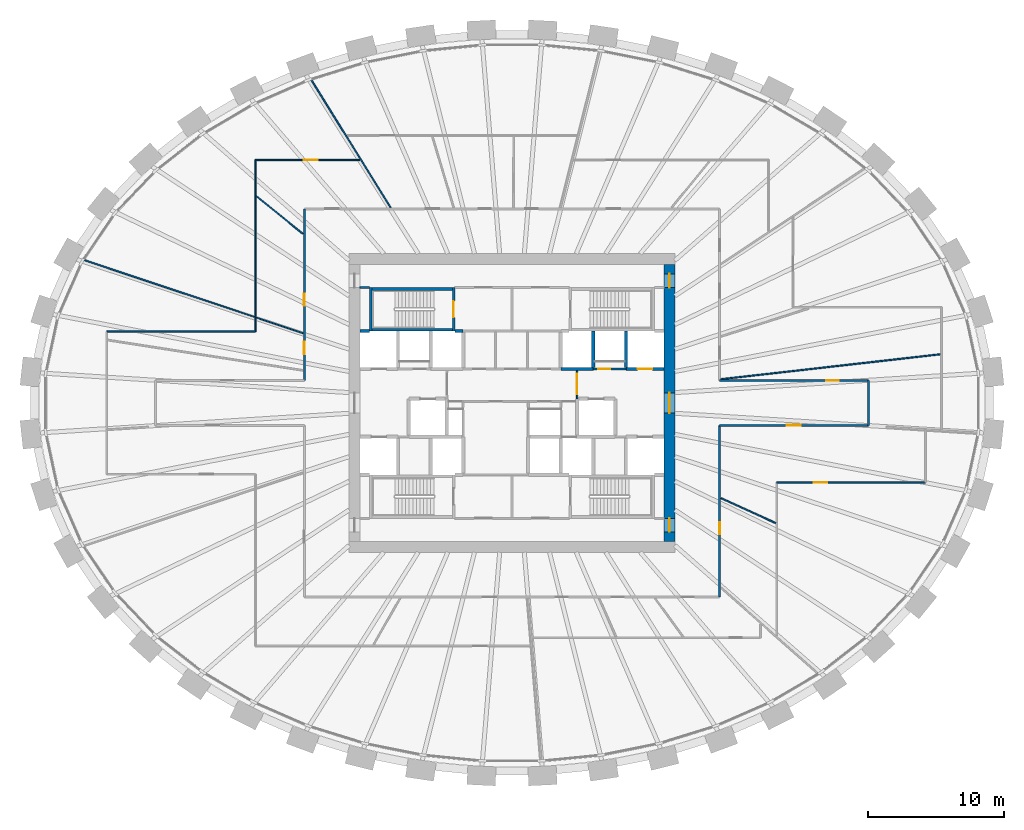
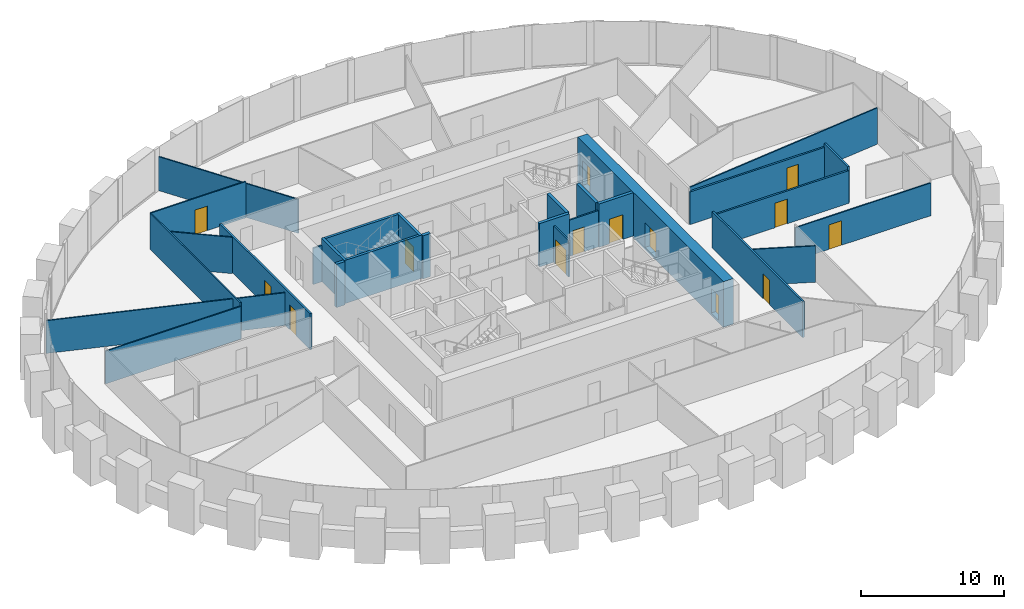
# One storey, part 8 of 11: 28 walls, 14 doors, 14 openings.
"""IFC4 building model written with IfcOpenShell, lengths in metres."""

from ifc_helpers import new_model, si_unit, direction, frame, frame_2d, origin, place, context, subcontext, project, spatial, rectangle, extrude, source, transform, mapped, material, layer, layer_set, type_object, element, fill, save


model = new_model("IFC4")

# Units and contexts
model_context = context("Model", 3, precision=1e-05, world=origin(), true_north=direction((0.0, 1.0)))
body_context = subcontext(model_context, "Body", "Model", "MODEL_VIEW")
ifc_project = project(units=[si_unit("LENGTHUNIT", "METRE"), si_unit("AREAUNIT", "SQUARE_METRE"), si_unit("VOLUMEUNIT", "CUBIC_METRE"), si_unit("PLANEANGLEUNIT", "RADIAN"), si_unit("MASSUNIT", "GRAM", prefix="KILO")], contexts=[model_context])

# Site, building, storey
site_placement = place(None, origin())
site = spatial("IfcSite", under=ifc_project, at=site_placement, CompositionType="ELEMENT")
building_placement = place(site_placement, origin())
building = spatial("IfcBuilding", under=site, at=building_placement, Name="Embergate Tower", CompositionType="ELEMENT")
storey_placement = place(building_placement, frame((0.0, 0.0, 211.199951171875)))
storey = spatial("IfcBuildingStorey", under=building, at=storey_placement, Name="L48", CompositionType="ELEMENT", Elevation=211.199951171875)

# Wall, openings, doors
ifc_material_1 = material(Name="Concrete C70", Category="concrete")
ifc_layer_1 = layer(ifc_material_1, 0.800048828125)
ifc_layer_set_1 = layer_set([ifc_layer_1], Name="Concrete C70")
wall_type_1 = type_object("IfcWallType", Name="Core outer wall C70 800", PredefinedType="SHEAR", material=ifc_layer_set_1)
shared_shape_1 = source(origin(), body_context, "Body", "SweptSolid", [
    extrude(rectangle(XDim=20.39990234375, YDim=0.800048828125, at=frame_2d((10.199951171875, 0.0))), origin(), (0.0, 0.0, 1.0), 3.89990234375),
])
wall_1_placement = place(storey_placement, frame((11.60009765625, -10.199951171875, -0.199951171875), z_axis=(0.0, 0.0, 1.0), x_axis=(0.0, 1.0, 0.0)))
wall_1 = element("IfcWall", 1, at=wall_1_placement, inside=storey, type_object=wall_type_1, Name="CW-L48-E", PredefinedType="SHEAR", context=body_context, shape_type="MappedRepresentation", body=[
    mapped(shared_shape_1, transform((0.0, 0.0, 0.0))),
])
shared_shape_2 = source(origin(), body_context, "Body", "SweptSolid", [
    extrude(rectangle(XDim=1.0, YDim=2.10009765625, at=frame_2d((0.5, 1.050048828125))), frame((0.0, 0.409912109375, 0.0), z_axis=(0.0, -1.0, 0.0), x_axis=(1.0, 0.0, 0.0)), (0.0, 0.0, 1.0), 0.820068359375),
])
opening_1_placement = place(wall_1_placement, frame((18.699951171875, 0.0, 0.199951171875)))
opening_1 = element("IfcOpeningElement", 2, at=opening_1_placement, cuts=wall_1, Name="Opening IF-1d", PredefinedType="OPENING", context=body_context, shape_type="MappedRepresentation", body=[
    mapped(shared_shape_2, transform((0.0, 0.0, 0.0))),
])
opening_2_placement = place(wall_1_placement, frame((0.699951171875, 0.0, 0.199951171875)))
opening_2 = element("IfcOpeningElement", 3, at=opening_2_placement, cuts=wall_1, Name="Opening IF-1d", PredefinedType="OPENING", context=body_context, shape_type="MappedRepresentation", body=[
    mapped(shared_shape_2, transform((0.0, 0.0, 0.0))),
])
shared_shape_3 = source(origin(), body_context, "Body", "SweptSolid", [
    extrude(rectangle(XDim=1.5, YDim=2.10009765625, at=frame_2d((0.75, 1.050048828125))), frame((0.0, 0.409912109375, 0.0), z_axis=(0.0, -1.0, 0.0), x_axis=(1.0, 0.0, 0.0)), (0.0, 0.0, 1.0), 0.820068359375),
])
opening_3_placement = place(wall_1_placement, frame((9.449951171875, 0.0, 0.199951171875)))
opening_3 = element("IfcOpeningElement", 4, at=opening_3_placement, cuts=wall_1, Name="Opening IF-3", PredefinedType="OPENING", context=body_context, shape_type="MappedRepresentation", body=[
    mapped(shared_shape_3, transform((0.0, 0.0, 0.0))),
])
ifc_material_2 = material(Name="Lobby fire door pair 1500")
door_type_1 = type_object("IfcDoorType", Name="Lobby fire door pair 1500", OperationType="DOUBLE_DOOR_SINGLE_SWING", PredefinedType="DOOR", material=ifc_material_2)
shared_shape_4 = source(origin(), body_context, "Body", "SweptSolid", [
    extrude(rectangle(XDim=1.5, YDim=2.10009765625, at=frame_2d((0.75, 1.050048828125))), frame((0.0, 0.02490234375, 0.0), z_axis=(0.0, -1.0, 0.0), x_axis=(1.0, 0.0, 0.0)), (0.0, 0.0, 1.0), 0.050048828125),
])
door_1_placement = place(opening_3_placement, origin())
door_1 = element("IfcDoor", 5, at=door_1_placement, inside=storey, type_object=door_type_1, Name="IF-3 door", OperationType="DOUBLE_DOOR_SINGLE_SWING", OverallHeight=2.10009765625, OverallWidth=1.5, PredefinedType="DOOR", context=body_context, shape_type="MappedRepresentation", body=[
    mapped(shared_shape_4, transform((0.0, 0.0, 0.0))),
])
fill(opening_3, door_1)
ifc_material_3 = material(Name="Escape fire door 1000")
door_type_2 = type_object("IfcDoorType", Name="Escape fire door 1000", OperationType="SINGLE_SWING_LEFT", PredefinedType="DOOR", material=ifc_material_3)
shared_shape_5 = source(origin(), body_context, "Body", "SweptSolid", [
    extrude(rectangle(XDim=1.0, YDim=2.10009765625, at=frame_2d((0.5, 1.050048828125))), frame((0.0, 0.02490234375, 0.0), z_axis=(0.0, -1.0, 0.0), x_axis=(1.0, 0.0, 0.0)), (0.0, 0.0, 1.0), 0.050048828125),
])
door_2_placement = place(opening_1_placement, origin())
door_2 = element("IfcDoor", 6, at=door_2_placement, inside=storey, type_object=door_type_2, Name="IF-1 door", OperationType="SINGLE_SWING_LEFT", OverallHeight=2.10009765625, OverallWidth=1.0, PredefinedType="DOOR", context=body_context, shape_type="MappedRepresentation", body=[
    mapped(shared_shape_5, transform((0.0, 0.0, 0.0))),
])
fill(opening_1, door_2)
door_3_placement = place(opening_2_placement, origin())
door_3 = element("IfcDoor", 7, at=door_3_placement, inside=storey, type_object=door_type_2, Name="IF-1 door", OperationType="SINGLE_SWING_LEFT", OverallHeight=2.10009765625, OverallWidth=1.0, PredefinedType="DOOR", context=body_context, shape_type="MappedRepresentation", body=[
    mapped(shared_shape_5, transform((0.0, 0.0, 0.0))),
])
fill(opening_2, door_3)

# Walls
ifc_material_4 = material(Name="Concrete C50", Category="concrete")
ifc_layer_2 = layer(ifc_material_4, 0.25)
ifc_layer_set_2 = layer_set([ifc_layer_2], Name="Concrete C50")
wall_type_2 = type_object("IfcWallType", Name="Hoistway wall reinforced concrete 250", PredefinedType="SHEAR", material=ifc_layer_set_2)
shared_shape_6 = source(origin(), body_context, "Body", "SweptSolid", [
    extrude(rectangle(XDim=2.675048828125, YDim=0.25, at=frame_2d((1.33740234375, 0.0))), origin(), (0.0, 0.0, 1.0), 3.699951171875),
])
for number, where, z_axis, x_axis, name in (
    (8, (6.0, 2.625, 0.0), (0.0, 0.0, 1.0), (0.0, 1.0, 0.0), "HW-1 wall"),
    (9, (8.39990234375, 2.625, 0.0), (0.0, 0.0, 1.0), (0.0, 1.0, 0.0), "HW-1 wall"),
):
    element("IfcWall", number, at=place(storey_placement, frame(where, z_axis=z_axis, x_axis=x_axis)), inside=storey, type_object=wall_type_2, Name=name, PredefinedType="SHEAR", context=body_context, shape_type="MappedRepresentation", body=[
        mapped(shared_shape_6, transform((0.0, 0.0, 0.0))),
    ])
ifc_layer_3 = layer(ifc_material_4, 0.199951171875)
ifc_layer_set_3 = layer_set([ifc_layer_3], Name="Concrete C50")
wall_type_3 = type_object("IfcWallType", Name="Stair enclosure wall reinforced concrete 250", PredefinedType="SHEAR", material=ifc_layer_set_3)
shared_shape_7 = source(origin(), body_context, "Body", "SweptSolid", [
    extrude(rectangle(XDim=6.300048828125, YDim=0.199951171875, at=frame_2d((3.14990234375, 0.0))), origin(), (0.0, 0.0, 1.0), 3.699951171875),
])
for number, where, z_axis, x_axis, name in (
    (10, (-4.199951171875, 5.39990234375, 0.0), (0.0, 0.0, 1.0), (-1.0, 0.0, 0.0), "SE-1 wall"),
    (11, (-4.199951171875, 8.39990234375, 0.0), (0.0, 0.0, 1.0), (-1.0, 0.0, 0.0), "SE-1 wall"),
):
    element("IfcWall", number, at=place(storey_placement, frame(where, z_axis=z_axis, x_axis=x_axis)), inside=storey, type_object=wall_type_3, Name=name, PredefinedType="SHEAR", context=body_context, shape_type="MappedRepresentation", body=[
        mapped(shared_shape_7, transform((0.0, 0.0, 0.0))),
    ])

# Wall, opening, door
ifc_material_5 = material(Name="Core partition blockwork 120")
ifc_layer_4 = layer(ifc_material_5, 0.1201171875)
ifc_layer_set_4 = layer_set([ifc_layer_4], Name="Core partition blockwork 120")
wall_type_4 = type_object("IfcWallType", Name="Core partition blockwork 120", PredefinedType="PARTITIONING", material=ifc_layer_set_4)
shared_shape_8 = source(origin(), body_context, "Body", "SweptSolid", [
    extrude(rectangle(XDim=2.074951171875, YDim=0.1201171875, at=frame_2d((1.03759765625, 0.0))), origin(), (0.0, 0.0, 1.0), 3.10009765625),
])
wall_2_placement = place(storey_placement, frame((4.800048828125, 0.300048828125, 0.0), z_axis=(0.0, 0.0, 1.0), x_axis=(0.0, 1.0, 0.0)))
wall_2 = element("IfcWall", 12, at=wall_2_placement, inside=storey, type_object=wall_type_4, Name="IP-3 wall", PredefinedType="PARTITIONING", context=body_context, shape_type="MappedRepresentation", body=[
    mapped(shared_shape_8, transform((0.0, 0.0, 0.0))),
])
shared_shape_9 = source(origin(), body_context, "Body", "SweptSolid", [
    extrude(rectangle(XDim=1.5, YDim=2.10009765625, at=frame_2d((0.75, 1.050048828125))), frame((0.0, 0.070068359375, 0.0), z_axis=(0.0, -1.0, 0.0), x_axis=(1.0, 0.0, 0.0)), (0.0, 0.0, 1.0), 0.14013671875),
])
opening_4_placement = place(wall_2_placement, frame((0.35009765625, 0.0, 0.0)))
opening_4 = element("IfcOpeningElement", 13, at=opening_4_placement, cuts=wall_2, Name="Opening IF-3", PredefinedType="OPENING", context=body_context, shape_type="MappedRepresentation", body=[
    mapped(shared_shape_9, transform((0.0, 0.0, 0.0))),
])
door_4_placement = place(opening_4_placement, origin())
door_4 = element("IfcDoor", 14, at=door_4_placement, inside=storey, type_object=door_type_1, Name="IF-3 door", OperationType="DOUBLE_DOOR_SINGLE_SWING", OverallHeight=2.10009765625, OverallWidth=1.5, PredefinedType="DOOR", context=body_context, shape_type="MappedRepresentation", body=[
    mapped(shared_shape_4, transform((0.0, 0.0, 0.0))),
])
fill(opening_4, door_4)

shared_shape_10 = source(origin(), body_context, "Body", "SweptSolid", [
    extrude(rectangle(XDim=3.199951171875, YDim=0.199951171875, at=frame_2d((1.60009765625, 0.0))), origin(), (0.0, 0.0, 1.0), 3.699951171875),
])
wall_3_placement = place(storey_placement, frame((-4.300048828125, 5.300048828125, 0.0), z_axis=(0.0, 0.0, 1.0), x_axis=(0.0, 1.0, 0.0)))
wall_3 = element("IfcWall", 15, at=wall_3_placement, inside=storey, type_object=wall_type_3, Name="SE-1 wall", PredefinedType="SHEAR", context=body_context, shape_type="MappedRepresentation", body=[
    mapped(shared_shape_10, transform((0.0, 0.0, 0.0))),
])
shared_shape_11 = source(origin(), body_context, "Body", "SweptSolid", [
    extrude(rectangle(XDim=1.199951171875, YDim=2.10009765625, at=frame_2d((0.60009765625, 1.050048828125))), frame((0.0, 0.10986328125, 0.0), z_axis=(0.0, -1.0, 0.0), x_axis=(1.0, 0.0, 0.0)), (0.0, 0.0, 1.0), 0.219970703125),
])
opening_5_placement = place(wall_3_placement, frame((1.0, 0.0, 0.0)))
opening_5 = element("IfcOpeningElement", 16, at=opening_5_placement, cuts=wall_3, Name="Opening IF-2", PredefinedType="OPENING", context=body_context, shape_type="MappedRepresentation", body=[
    mapped(shared_shape_11, transform((0.0, 0.0, 0.0))),
])
ifc_material_6 = material(Name="Stair enclosure door 1200")
door_type_3 = type_object("IfcDoorType", Name="Stair enclosure door 1200", OperationType="SINGLE_SWING_LEFT", PredefinedType="DOOR", material=ifc_material_6)
shared_shape_12 = source(origin(), body_context, "Body", "SweptSolid", [
    extrude(rectangle(XDim=1.199951171875, YDim=2.10009765625, at=frame_2d((0.60009765625, 1.050048828125))), frame((0.0, 0.02490234375, 0.0), z_axis=(0.0, -1.0, 0.0), x_axis=(1.0, 0.0, 0.0)), (0.0, 0.0, 1.0), 0.050048828125),
])
door_5_placement = place(opening_5_placement, origin())
door_5 = element("IfcDoor", 17, at=door_5_placement, inside=storey, type_object=door_type_3, Name="IF-2 door", OperationType="SINGLE_SWING_RIGHT", OverallHeight=2.10009765625, OverallWidth=1.199951171875, PredefinedType="DOOR", context=body_context, shape_type="MappedRepresentation", body=[
    mapped(shared_shape_12, transform((0.0, 0.0, 0.0))),
])
fill(opening_5, door_5)

# Wall
shared_shape_13 = source(origin(), body_context, "Body", "SweptSolid", [
    extrude(rectangle(XDim=2.39990234375, YDim=0.25, at=frame_2d((1.199951171875, 0.0))), origin(), (0.0, 0.0, 1.0), 3.699951171875),
])
wall_4_placement = place(storey_placement, frame((3.60009765625, 2.5, 0.0), z_axis=(0.0, 0.0, 1.0), x_axis=(1.0, 0.0, 0.0)))
element("IfcWall", 18, at=wall_4_placement, inside=storey, type_object=wall_type_2, Name="HW-1 wall", PredefinedType="SHEAR", context=body_context, shape_type="MappedRepresentation", body=[
    mapped(shared_shape_13, transform((0.0, 0.0, 0.0))),
])

# Wall, opening, door
ifc_material_7 = material(Name="Corridor wall dry-lined 150")
ifc_layer_5 = layer(ifc_material_7, 0.14990234375)
ifc_layer_set_5 = layer_set([ifc_layer_5], Name="Corridor wall dry-lined 150")
wall_type_5 = type_object("IfcWallType", Name="Corridor wall dry-lined 150", PredefinedType="PARTITIONING", material=ifc_layer_set_5)
shared_shape_14 = source(origin(), body_context, "Body", "SweptSolid", [
    extrude(rectangle(XDim=10.949951171875, YDim=0.14990234375, at=frame_2d((5.47509765625, 0.0))), origin(), (0.0, 0.0, 1.0), 2.800048828125),
])
wall_5_placement = place(storey_placement, frame((15.300048828125, -1.64990234375, 0.0), z_axis=(0.0, 0.0, 1.0), x_axis=(1.0, 0.0, 0.0)))
wall_5 = element("IfcWall", 19, at=wall_5_placement, inside=storey, type_object=wall_type_5, Name="IP-2 wall", PredefinedType="PARTITIONING", context=body_context, shape_type="MappedRepresentation", body=[
    mapped(shared_shape_14, transform((0.0, 0.0, 0.0))),
])
shared_shape_15 = source(origin(), body_context, "Body", "SweptSolid", [
    extrude(rectangle(XDim=1.0, YDim=2.10009765625, at=frame_2d((0.5, 1.050048828125))), frame((0.0, 0.0849609375, 0.0), z_axis=(0.0, -1.0, 0.0), x_axis=(1.0, 0.0, 0.0)), (0.0, 0.0, 1.0), 0.169921875),
])
opening_6_placement = place(wall_5_placement, frame((4.9560546875, 0.0, 0.0)))
opening_6 = element("IfcOpeningElement", 20, at=opening_6_placement, cuts=wall_5, Name="Opening ID-2", PredefinedType="OPENING", context=body_context, shape_type="MappedRepresentation", body=[
    mapped(shared_shape_15, transform((0.0, 0.0, 0.0))),
])
ifc_material_8 = material(Name="Interior door 1000")
door_type_4 = type_object("IfcDoorType", Name="Interior door 1000", OperationType="SINGLE_SWING_LEFT", PredefinedType="DOOR", material=ifc_material_8)
door_6_placement = place(opening_6_placement, origin())
door_6 = element("IfcDoor", 21, at=door_6_placement, inside=storey, type_object=door_type_4, Name="ID-2 door", OperationType="SINGLE_SWING_LEFT", OverallHeight=2.10009765625, OverallWidth=1.0, PredefinedType="DOOR", context=body_context, shape_type="MappedRepresentation", body=[
    mapped(shared_shape_5, transform((0.0, 0.0, 0.0))),
])
fill(opening_6, door_6)

wall_6_placement = place(storey_placement, frame((26.25, 1.64990234375, 0.0), z_axis=(0.0, 0.0, 1.0), x_axis=(-1.0, 0.0, 0.0)))
wall_6 = element("IfcWall", 22, at=wall_6_placement, inside=storey, type_object=wall_type_5, Name="IP-2 wall", PredefinedType="PARTITIONING", context=body_context, shape_type="MappedRepresentation", body=[
    mapped(shared_shape_14, transform((0.0, 0.0, 0.0))),
])
shared_shape_16 = source(origin(), body_context, "Body", "SweptSolid", [
    extrude(rectangle(XDim=0.89990234375, YDim=2.10009765625, at=frame_2d((0.449951171875, 1.050048828125))), frame((0.0, 0.0849609375, 0.0), z_axis=(0.0, -1.0, 0.0), x_axis=(1.0, 0.0, 0.0)), (0.0, 0.0, 1.0), 0.169921875),
])
opening_7_placement = place(wall_6_placement, frame((2.18994140625, 0.0, 0.0)))
opening_7 = element("IfcOpeningElement", 23, at=opening_7_placement, cuts=wall_6, Name="Opening IF-1c", PredefinedType="OPENING", context=body_context, shape_type="MappedRepresentation", body=[
    mapped(shared_shape_16, transform((0.0, 0.0, 0.0))),
])
ifc_material_9 = material(Name="Escape fire door 900")
door_type_5 = type_object("IfcDoorType", Name="Escape fire door 900", OperationType="SINGLE_SWING_LEFT", PredefinedType="DOOR", material=ifc_material_9)
shared_shape_17 = source(origin(), body_context, "Body", "SweptSolid", [
    extrude(rectangle(XDim=0.89990234375, YDim=2.10009765625, at=frame_2d((0.449951171875, 1.050048828125))), frame((0.0, 0.02490234375, 0.0), z_axis=(0.0, -1.0, 0.0), x_axis=(1.0, 0.0, 0.0)), (0.0, 0.0, 1.0), 0.050048828125),
])
door_7_placement = place(opening_7_placement, origin())
door_7 = element("IfcDoor", 24, at=door_7_placement, inside=storey, type_object=door_type_5, Name="IF-1 door", OperationType="SINGLE_SWING_LEFT", OverallHeight=2.10009765625, OverallWidth=0.89990234375, PredefinedType="DOOR", context=body_context, shape_type="MappedRepresentation", body=[
    mapped(shared_shape_17, transform((0.0, 0.0, 0.0))),
])
fill(opening_7, door_7)

ifc_material_10 = material(Name="Partition dry-lined 100")
ifc_layer_6 = layer(ifc_material_10, 0.10009765625)
ifc_layer_set_6 = layer_set([ifc_layer_6], Name="Partition dry-lined 100")
wall_type_6 = type_object("IfcWallType", Name="Partition dry-lined 100", PredefinedType="PARTITIONING", material=ifc_layer_set_6)
shared_shape_18 = source(origin(), body_context, "Body", "SweptSolid", [
    extrude(rectangle(XDim=10.949951171875, YDim=0.10009765625, at=frame_2d((5.47509765625, 0.0))), origin(), (0.0, 0.0, 1.0), 2.800048828125),
])
wall_7_placement = place(storey_placement, frame((30.449951171875, -5.85009765625, 0.0), z_axis=(0.0, 0.0, 1.0), x_axis=(-1.0, 0.0, 0.0)))
wall_7 = element("IfcWall", 25, at=wall_7_placement, inside=storey, type_object=wall_type_6, Name="IP-1 wall", PredefinedType="PARTITIONING", context=body_context, shape_type="MappedRepresentation", body=[
    mapped(shared_shape_18, transform((0.0, 0.0, 0.0))),
])
shared_shape_19 = source(origin(), body_context, "Body", "SweptSolid", [
    extrude(rectangle(XDim=1.0, YDim=2.10009765625, at=frame_2d((0.5, 1.050048828125))), frame((0.0, 0.06005859375, 0.0), z_axis=(0.0, -1.0, 0.0), x_axis=(1.0, 0.0, 0.0)), (0.0, 0.0, 1.0), 0.1201171875),
])
opening_8_placement = place(wall_7_placement, frame((7.218994140625, 0.0, 0.0)))
opening_8 = element("IfcOpeningElement", 26, at=opening_8_placement, cuts=wall_7, Name="Opening ID-2", PredefinedType="OPENING", context=body_context, shape_type="MappedRepresentation", body=[
    mapped(shared_shape_19, transform((0.0, 0.0, 0.0))),
])
door_8_placement = place(opening_8_placement, origin())
door_8 = element("IfcDoor", 27, at=door_8_placement, inside=storey, type_object=door_type_4, Name="ID-2 door", OperationType="SINGLE_SWING_LEFT", OverallHeight=2.10009765625, OverallWidth=1.0, PredefinedType="DOOR", context=body_context, shape_type="MappedRepresentation", body=[
    mapped(shared_shape_5, transform((0.0, 0.0, 0.0))),
])
fill(opening_8, door_8)

shared_shape_20 = source(origin(), body_context, "Body", "SweptSolid", [
    extrude(rectangle(XDim=2.800048828125, YDim=0.25, at=frame_2d((1.39990234375, 0.0))), origin(), (0.0, 0.0, 1.0), 3.699951171875),
])
wall_8_placement = place(storey_placement, frame((8.39990234375, 2.5, 0.0), z_axis=(0.0, 0.0, 1.0), x_axis=(1.0, 0.0, 0.0)))
wall_8 = element("IfcWall", 28, at=wall_8_placement, inside=storey, type_object=wall_type_2, Name="HW-1 wall", PredefinedType="SHEAR", context=body_context, shape_type="MappedRepresentation", body=[
    mapped(shared_shape_20, transform((0.0, 0.0, 0.0))),
])
shared_shape_21 = source(origin(), body_context, "Body", "SweptSolid", [
    extrude(rectangle(XDim=1.10009765625, YDim=2.10009765625, at=frame_2d((0.550048828125, 1.050048828125))), frame((0.0, 0.135009765625, 0.0), z_axis=(0.0, -1.0, 0.0), x_axis=(1.0, 0.0, 0.0)), (0.0, 0.0, 1.0), 0.27001953125),
])
opening_9_placement = place(wall_8_placement, frame((0.85009765625, 0.0, 0.0)))
opening_9 = element("IfcOpeningElement", 29, at=opening_9_placement, cuts=wall_8, Name="Opening LD", PredefinedType="OPENING", context=body_context, shape_type="MappedRepresentation", body=[
    mapped(shared_shape_21, transform((0.0, 0.0, 0.0))),
])
ifc_material_11 = material(Name="Landing door sliding 1100")
door_type_6 = type_object("IfcDoorType", Name="Landing door sliding 1100", OperationType="SLIDING_TO_LEFT", PredefinedType="DOOR", material=ifc_material_11)
shared_shape_22 = source(origin(), body_context, "Body", "SweptSolid", [
    extrude(rectangle(XDim=1.10009765625, YDim=2.10009765625, at=frame_2d((0.550048828125, 1.050048828125))), frame((0.0, 0.02490234375, 0.0), z_axis=(0.0, -1.0, 0.0), x_axis=(1.0, 0.0, 0.0)), (0.0, 0.0, 1.0), 0.050048828125),
])
door_9_placement = place(opening_9_placement, origin())
door_9 = element("IfcDoor", 30, at=door_9_placement, inside=storey, type_object=door_type_6, Name="LD door", OperationType="SLIDING_TO_RIGHT", OverallHeight=2.10009765625, OverallWidth=1.10009765625, PredefinedType="DOOR", context=body_context, shape_type="MappedRepresentation", body=[
    mapped(shared_shape_22, transform((0.0, 0.0, 0.0))),
])
fill(opening_9, door_9)

shared_shape_23 = source(origin(), body_context, "Body", "SweptSolid", [
    extrude(rectangle(XDim=2.39990234375, YDim=0.1201171875, at=frame_2d((1.199951171875, 0.0))), origin(), (0.0, 0.0, 1.0), 3.10009765625),
])
wall_9_placement = place(storey_placement, frame((6.0, 2.5, 0.0), z_axis=(0.0, 0.0, 1.0), x_axis=(1.0, 0.0, 0.0)))
wall_9 = element("IfcWall", 31, at=wall_9_placement, inside=storey, type_object=wall_type_4, Name="IP-3 wall", PredefinedType="PARTITIONING", context=body_context, shape_type="MappedRepresentation", body=[
    mapped(shared_shape_23, transform((0.0, 0.0, 0.0))),
])
shared_shape_24 = source(origin(), body_context, "Body", "SweptSolid", [
    extrude(rectangle(XDim=0.89990234375, YDim=2.10009765625, at=frame_2d((0.449951171875, 1.050048828125))), frame((0.0, 0.070068359375, 0.0), z_axis=(0.0, -1.0, 0.0), x_axis=(1.0, 0.0, 0.0)), (0.0, 0.0, 1.0), 0.14013671875),
])
opening_10_placement = place(wall_9_placement, frame((0.35009765625, 0.0, 0.0)))
opening_10 = element("IfcOpeningElement", 32, at=opening_10_placement, cuts=wall_9, Name="Opening ID-1", PredefinedType="OPENING", context=body_context, shape_type="MappedRepresentation", body=[
    mapped(shared_shape_24, transform((0.0, 0.0, 0.0))),
])
ifc_material_12 = material(Name="Interior door 900")
door_type_7 = type_object("IfcDoorType", Name="Interior door 900", OperationType="SINGLE_SWING_LEFT", PredefinedType="DOOR", material=ifc_material_12)
door_10_placement = place(opening_10_placement, origin())
door_10 = element("IfcDoor", 33, at=door_10_placement, inside=storey, type_object=door_type_7, Name="ID-1 door", OperationType="SINGLE_SWING_LEFT", OverallHeight=2.10009765625, OverallWidth=0.89990234375, PredefinedType="DOOR", context=body_context, shape_type="MappedRepresentation", body=[
    mapped(shared_shape_17, transform((0.0, 0.0, 0.0))),
])
fill(opening_10, door_10)

# Walls
shared_shape_25 = source(origin(), body_context, "Body", "SweptSolid", [
    extrude(rectangle(XDim=0.599853515625, YDim=0.25, at=frame_2d((0.2998046875, 0.0))), origin(), (0.0, 0.0, 1.0), 3.699951171875),
])
wall_10_placement = place(storey_placement, frame((-3.60009765625, 5.300048828125, 0.0), z_axis=(0.0, 0.0, 1.0), x_axis=(-1.0, 0.0, 0.0)))
element("IfcWall", 34, at=wall_10_placement, inside=storey, type_object=wall_type_2, Name="HW-1 wall", PredefinedType="SHEAR", context=body_context, shape_type="MappedRepresentation", body=[
    mapped(shared_shape_25, transform((0.0, 0.0, 0.0))),
])
shared_shape_26 = source(origin(), body_context, "Body", "SweptSolid", [
    extrude(rectangle(XDim=3.196044921875, YDim=0.199951171875, at=frame_2d((1.59814453125, 0.0))), origin(), (0.0, 0.0, 1.0), 3.699951171875),
])
wall_11_placement = place(storey_placement, frame((-10.39990234375, 8.498046875, 0.0), z_axis=(0.0, 0.0, 1.0), x_axis=(0.0, -1.0, 0.0)))
element("IfcWall", 35, at=wall_11_placement, inside=storey, type_object=wall_type_3, Name="SE-1 wall", PredefinedType="SHEAR", context=body_context, shape_type="MappedRepresentation", body=[
    mapped(shared_shape_26, transform((0.0, 0.0, 0.0))),
])
shared_shape_27 = source(origin(), body_context, "Body", "SweptSolid", [
    extrude(rectangle(XDim=0.697998046875, YDim=0.25, at=frame_2d((0.34912109375, 0.0))), origin(), (0.0, 0.0, 1.0), 3.699951171875),
])
wall_12_placement = place(storey_placement, frame((-10.501953125, 5.300048828125, 0.0), z_axis=(0.0, 0.0, 1.0), x_axis=(-1.0, 0.0, 0.0)))
element("IfcWall", 36, at=wall_12_placement, inside=storey, type_object=wall_type_2, Name="HW-1 wall", PredefinedType="SHEAR", context=body_context, shape_type="MappedRepresentation", body=[
    mapped(shared_shape_27, transform((0.0, 0.0, 0.0))),
])
shared_shape_28 = source(origin(), body_context, "Body", "SweptSolid", [
    extrude(rectangle(XDim=0.697998046875, YDim=0.1201171875, at=frame_2d((0.34912109375, 0.0))), origin(), (0.0, 0.0, 1.0), 3.10009765625),
])
wall_13_placement = place(storey_placement, frame((-11.199951171875, 8.5, 0.0), z_axis=(0.0, 0.0, 1.0), x_axis=(1.0, 0.0, 0.0)))
element("IfcWall", 37, at=wall_13_placement, inside=storey, type_object=wall_type_4, Name="IP-3 wall", PredefinedType="PARTITIONING", context=body_context, shape_type="MappedRepresentation", body=[
    mapped(shared_shape_28, transform((0.0, 0.0, 0.0))),
])
shared_shape_29 = source(origin(), body_context, "Body", "SweptSolid", [
    extrude(rectangle(XDim=10.9501953125, YDim=0.10009765625, at=frame_2d((5.47509765625, 0.0))), origin(), (0.0, 0.0, 1.0), 2.800048828125),
])
wall_14_placement = place(storey_placement, frame((-29.85009765625, 5.25, 0.0), z_axis=(0.0, 0.0, 1.0), x_axis=(1.0, 0.0, 0.0)))
element("IfcWall", 38, at=wall_14_placement, inside=storey, type_object=wall_type_6, Name="IP-1 wall", PredefinedType="PARTITIONING", context=body_context, shape_type="MappedRepresentation", body=[
    mapped(shared_shape_29, transform((0.0, 0.0, 0.0))),
])

# Wall, opening, door
ifc_material_13 = material(Name="Corridor wall dry-lined 150 wet")
ifc_layer_7 = layer(ifc_material_13, 0.14990234375)
ifc_layer_set_7 = layer_set([ifc_layer_7], Name="Corridor wall dry-lined 150 wet")
wall_type_7 = type_object("IfcWallType", Name="Corridor wall dry-lined 150 wet", PredefinedType="PLUMBINGWALL", material=ifc_layer_set_7)
shared_shape_30 = source(origin(), body_context, "Body", "SweptSolid", [
    extrude(rectangle(XDim=12.650146484375, YDim=0.14990234375, at=frame_2d((6.3251953125, 0.0))), origin(), (0.0, 0.0, 1.0), 3.10009765625),
])
wall_15_placement = place(storey_placement, frame((15.300048828125, -1.64990234375, 0.0), z_axis=(0.0, 0.0, 1.0), x_axis=(0.0, -1.0, 0.0)))
wall_15 = element("IfcWall", 39, at=wall_15_placement, inside=storey, type_object=wall_type_7, Name="IP-2 wall", PredefinedType="PLUMBINGWALL", context=body_context, shape_type="MappedRepresentation", body=[
    mapped(shared_shape_30, transform((0.0, 0.0, 0.0))),
])
opening_11_placement = place(wall_15_placement, frame((7.14111328125, 0.0, 0.0)))
opening_11 = element("IfcOpeningElement", 40, at=opening_11_placement, cuts=wall_15, Name="Opening IF-1c", PredefinedType="OPENING", context=body_context, shape_type="MappedRepresentation", body=[
    mapped(shared_shape_16, transform((0.0, 0.0, 0.0))),
])
door_11_placement = place(opening_11_placement, origin())
door_11 = element("IfcDoor", 41, at=door_11_placement, inside=storey, type_object=door_type_5, Name="IF-1 door", OperationType="SINGLE_SWING_RIGHT", OverallHeight=2.10009765625, OverallWidth=0.89990234375, PredefinedType="DOOR", context=body_context, shape_type="MappedRepresentation", body=[
    mapped(shared_shape_17, transform((0.0, 0.0, 0.0))),
])
fill(opening_11, door_11)

# Wall, openings, doors
wall_16_placement = place(storey_placement, frame((-15.300048828125, 1.64990234375, 0.0), z_axis=(0.0, 0.0, 1.0), x_axis=(0.0, 1.0, 0.0)))
wall_16 = element("IfcWall", 42, at=wall_16_placement, inside=storey, type_object=wall_type_5, Name="IP-2 wall", PredefinedType="PARTITIONING", context=body_context, shape_type="MappedRepresentation", body=[
    mapped(shared_shape_30, transform((0.0, 0.0, 0.0))),
])
opening_12_placement = place(wall_16_placement, frame((5.491943359375, 0.0, 0.0)))
opening_12 = element("IfcOpeningElement", 43, at=opening_12_placement, cuts=wall_16, Name="Opening IF-1c", PredefinedType="OPENING", context=body_context, shape_type="MappedRepresentation", body=[
    mapped(shared_shape_16, transform((0.0, 0.0, 0.0))),
])
opening_13_placement = place(wall_16_placement, frame((1.94091796875, 0.0, 0.0)))
opening_13 = element("IfcOpeningElement", 44, at=opening_13_placement, cuts=wall_16, Name="Opening IF-1c", PredefinedType="OPENING", context=body_context, shape_type="MappedRepresentation", body=[
    mapped(shared_shape_16, transform((0.0, 0.0, 0.0))),
])
door_12_placement = place(opening_12_placement, origin())
door_12 = element("IfcDoor", 45, at=door_12_placement, inside=storey, type_object=door_type_5, Name="IF-1 door", OperationType="SINGLE_SWING_RIGHT", OverallHeight=2.10009765625, OverallWidth=0.89990234375, PredefinedType="DOOR", context=body_context, shape_type="MappedRepresentation", body=[
    mapped(shared_shape_17, transform((0.0, 0.0, 0.0))),
])
fill(opening_12, door_12)
door_13_placement = place(opening_13_placement, origin())
door_13 = element("IfcDoor", 46, at=door_13_placement, inside=storey, type_object=door_type_5, Name="IF-1 door", OperationType="SINGLE_SWING_LEFT", OverallHeight=2.10009765625, OverallWidth=0.89990234375, PredefinedType="DOOR", context=body_context, shape_type="MappedRepresentation", body=[
    mapped(shared_shape_17, transform((0.0, 0.0, 0.0))),
])
fill(opening_13, door_13)

# Walls
shared_shape_31 = source(origin(), body_context, "Body", "SweptSolid", [
    extrude(rectangle(XDim=3.2998046875, YDim=0.14990234375, at=frame_2d((1.64990234375, 0.0))), origin(), (0.0, 0.0, 1.0), 3.10009765625),
])
wall_17_placement = place(storey_placement, frame((26.25, -1.64990234375, 0.0), z_axis=(0.0, 0.0, 1.0), x_axis=(0.0, 1.0, 0.0)))
element("IfcWall", 47, at=wall_17_placement, inside=storey, type_object=wall_type_5, Name="IP-2 wall", PredefinedType="PARTITIONING", context=body_context, shape_type="MappedRepresentation", body=[
    mapped(shared_shape_31, transform((0.0, 0.0, 0.0))),
])
shared_shape_32 = source(origin(), body_context, "Body", "SweptSolid", [
    extrude(rectangle(XDim=17.070556640625, YDim=0.10009765625, at=frame_2d((8.53515625, 0.0))), origin(), (0.0, 0.0, 1.0), 2.800048828125),
])
wall_18_placement = place(storey_placement, frame((-31.58203125, 10.550048828125, 0.0), z_axis=(0.0, 0.0, 1.0), x_axis=(0.948472850585, -0.316858409552, 0.0)))
element("IfcWall", 48, at=wall_18_placement, inside=storey, type_object=wall_type_6, Name="IP-1 wall", PredefinedType="PARTITIONING", context=body_context, shape_type="MappedRepresentation", body=[
    mapped(shared_shape_32, transform((0.0, 0.0, 0.0))),
])
shared_shape_33 = source(origin(), body_context, "Body", "SweptSolid", [
    extrude(rectangle(XDim=12.64990234375, YDim=0.10009765625, at=frame_2d((6.324951171875, 0.0))), origin(), (0.0, 0.0, 1.0), 3.10009765625),
])
wall_19_placement = place(storey_placement, frame((-18.89990234375, 17.89990234375, 0.0), z_axis=(0.0, 0.0, 1.0), x_axis=(0.0, -1.0, 0.0)))
element("IfcWall", 49, at=wall_19_placement, inside=storey, type_object=wall_type_6, Name="IP-1 wall", PredefinedType="PARTITIONING", context=body_context, shape_type="MappedRepresentation", body=[
    mapped(shared_shape_33, transform((0.0, 0.0, 0.0))),
])
shared_shape_34 = source(origin(), body_context, "Body", "SweptSolid", [
    extrude(rectangle(XDim=4.43212890625, YDim=0.10009765625, at=frame_2d((2.216064453125, 0.0))), origin(), (0.0, 0.0, 1.0), 3.10009765625),
])
wall_20_placement = place(storey_placement, frame((15.39599609375, -7.014892578125, 0.0), z_axis=(0.0, 0.0, 1.0), x_axis=(0.909943435568, -0.414732376439, 0.0)))
element("IfcWall", 50, at=wall_20_placement, inside=storey, type_object=wall_type_6, Name="IP-1 wall", PredefinedType="PARTITIONING", context=body_context, shape_type="MappedRepresentation", body=[
    mapped(shared_shape_34, transform((0.0, 0.0, 0.0))),
])
shared_shape_35 = source(origin(), body_context, "Body", "SweptSolid", [
    extrude(rectangle(XDim=16.317138671875, YDim=0.10009765625, at=frame_2d((8.15869140625, 0.0))), origin(), (0.0, 0.0, 1.0), 3.10009765625),
])
wall_21_placement = place(storey_placement, frame((31.593994140625, 3.5869140625, 0.0), z_axis=(0.0, 0.0, 1.0), x_axis=(-0.993615932245, -0.112815686802, 0.0)))
element("IfcWall", 51, at=wall_21_placement, inside=storey, type_object=wall_type_6, Name="IP-1 wall", PredefinedType="PARTITIONING", context=body_context, shape_type="MappedRepresentation", body=[
    mapped(shared_shape_35, transform((0.0, 0.0, 0.0))),
])
shared_shape_36 = source(origin(), body_context, "Body", "SweptSolid", [
    extrude(rectangle(XDim=11.11669921875, YDim=0.10009765625, at=frame_2d((5.558349609375, 0.0))), origin(), (0.0, 0.0, 1.0), 2.900146484375),
])
wall_22_placement = place(storey_placement, frame((-14.81298828125, 23.843994140625, 0.0), z_axis=(0.0, 0.0, 1.0), x_axis=(0.527669515851, -0.849449752511, 0.0)))
element("IfcWall", 52, at=wall_22_placement, inside=storey, type_object=wall_type_6, Name="IP-1 wall", PredefinedType="PARTITIONING", context=body_context, shape_type="MappedRepresentation", body=[
    mapped(shared_shape_36, transform((0.0, 0.0, 0.0))),
])
shared_shape_37 = source(origin(), body_context, "Body", "SweptSolid", [
    extrude(rectangle(XDim=4.389892578125, YDim=0.10009765625, at=frame_2d((2.19482421875, 0.0))), origin(), (0.0, 0.0, 1.0), 3.10009765625),
])
wall_23_placement = place(storey_placement, frame((-15.406005859375, 12.465087890625, 0.0), z_axis=(0.0, 0.0, 1.0), x_axis=(-0.77746628321, 0.62892462066, 0.0)))
element("IfcWall", 53, at=wall_23_placement, inside=storey, type_object=wall_type_6, Name="IP-1 wall", PredefinedType="PARTITIONING", context=body_context, shape_type="MappedRepresentation", body=[
    mapped(shared_shape_37, transform((0.0, 0.0, 0.0))),
])

# Wall, opening, door
shared_shape_38 = source(origin(), body_context, "Body", "SweptSolid", [
    extrude(rectangle(XDim=7.68896484375, YDim=0.10009765625, at=frame_2d((3.844482421875, 0.0))), origin(), (0.0, 0.0, 1.0), 3.10009765625),
])
wall_24_placement = place(storey_placement, frame((-11.2109375, 17.89990234375, 0.0), z_axis=(0.0, 0.0, 1.0), x_axis=(-1.0, 0.0, 0.0)))
wall_24 = element("IfcWall", 54, at=wall_24_placement, inside=storey, type_object=wall_type_6, Name="IP-1 wall", PredefinedType="PARTITIONING", context=body_context, shape_type="MappedRepresentation", body=[
    mapped(shared_shape_38, transform((0.0, 0.0, 0.0))),
])
opening_14_placement = place(wall_24_placement, frame((3.114501953125, 0.0, 0.0)))
opening_14 = element("IfcOpeningElement", 55, at=opening_14_placement, cuts=wall_24, Name="Opening ID-2", PredefinedType="OPENING", context=body_context, shape_type="MappedRepresentation", body=[
    mapped(shared_shape_19, transform((0.0, 0.0, 0.0))),
])
door_14_placement = place(opening_14_placement, origin())
door_14 = element("IfcDoor", 56, at=door_14_placement, inside=storey, type_object=door_type_4, Name="ID-2 door", OperationType="SINGLE_SWING_RIGHT", OverallHeight=2.10009765625, OverallWidth=1.0, PredefinedType="DOOR", context=body_context, shape_type="MappedRepresentation", body=[
    mapped(shared_shape_5, transform((0.0, 0.0, 0.0))),
])
fill(opening_14, door_14)

save(model, "model.ifc")
